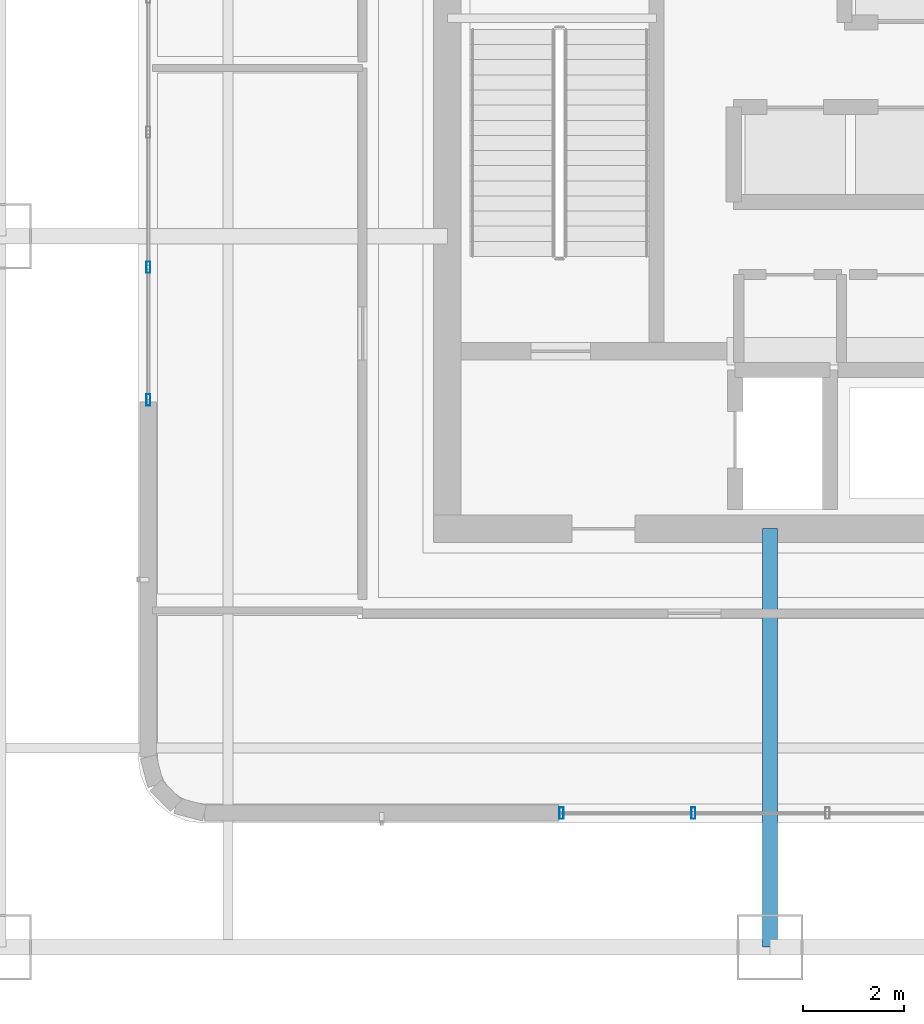
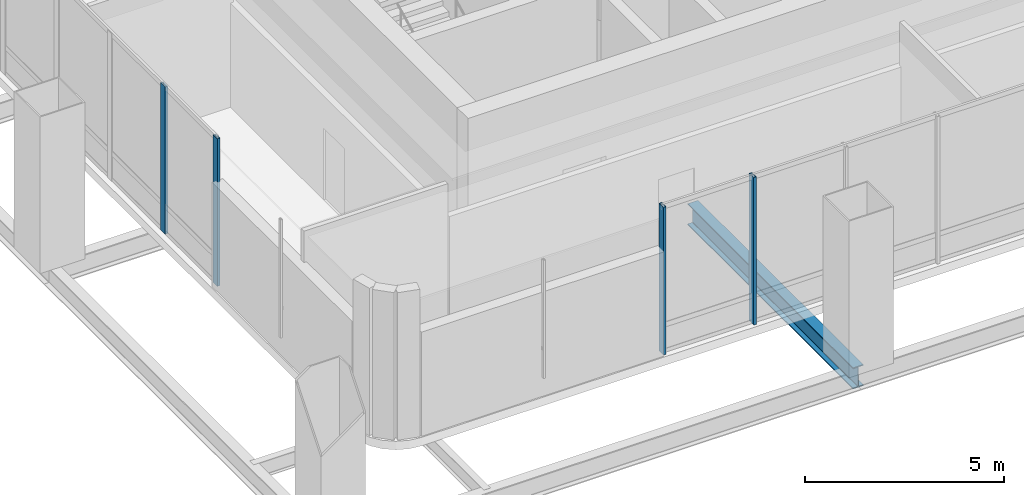
# One storey, part 2 of 33: 4 members, 1 beam, 2 elements without a shape of their own.
"""IFC4 building model written with IfcOpenShell, lengths in metres."""

from ifc_helpers import new_model, si_unit, direction, frame, origin, origin_2d, place, context, subcontext, project, spatial, hollow_rectangle, i_section, extrude, material, material_profile, profile_set, type_object, element, aggregate, save


model = new_model("IFC4")

# Units and contexts
model_context = context("Model", 3, precision=1e-05, world=origin(), true_north=direction((0.0, 1.0)))
body_context = subcontext(model_context, "Body", "Model", "MODEL_VIEW")
ifc_project = project(units=[si_unit("LENGTHUNIT", "METRE"), si_unit("AREAUNIT", "SQUARE_METRE"), si_unit("VOLUMEUNIT", "CUBIC_METRE"), si_unit("PLANEANGLEUNIT", "RADIAN"), si_unit("MASSUNIT", "GRAM", prefix="KILO")], contexts=[model_context])

# Site, building, storey
site_placement = place(None, origin())
site = spatial("IfcSite", under=ifc_project, at=site_placement, CompositionType="ELEMENT")
building_placement = place(site_placement, origin())
building = spatial("IfcBuilding", under=site, at=building_placement, Name="Punatoya Terracotta Tower", CompositionType="ELEMENT")
storey_placement = place(building_placement, frame((0.0, 0.0, 246.60009765625)))
storey = spatial("IfcBuildingStorey", under=building, at=storey_placement, Name="L58", CompositionType="ELEMENT", Elevation=246.60009765625)

# Beam
ifc_material_1 = material(Name="Steel S355", Category="steel")
ifc_material_profile_1 = material_profile(ifc_material_1, i_section(OverallWidth=0.300048828125, OverallDepth=0.64990234375, WebThickness=0.01611328125, FlangeThickness=0.031005859375, FilletRadius=0.01806640625, at=origin_2d()))
ifc_profile_set_1 = profile_set([ifc_material_profile_1], Name="Steel S355")
beam_type = type_object("IfcBeamType", Name="BM-PRI-650", PredefinedType="BEAM", material=ifc_profile_set_1)
beam_placement = place(storey_placement, frame((-3.800048828125, -17.5, -0.585205078125), z_axis=(0.0, 1.0, 0.0), x_axis=(-1.0, 0.0, 0.0)))
element("IfcBeam", 1, at=beam_placement, inside=storey, type_object=beam_type, Name="BM-L58-PR-S2", PredefinedType="BEAM", context=body_context, shape_type="SweptSolid", body=[
    extrude(i_section(OverallWidth=0.300048828125, OverallDepth=0.64990234375, WebThickness=0.01611328125, FlangeThickness=0.031005859375, FilletRadius=0.01806640625, at=origin_2d()), origin(), (0.0, 0.0, 1.0), 8.300048828125),
])

# Curtain wall, members
ifc_material_2 = material(Name="Aluminium 6063-T6 + Double Low-E Glass", Category="aluminium")
curtain_wall_type = type_object("IfcCurtainWallType", Name="CW-NCK", PredefinedType="NOTDEFINED", material=ifc_material_2)
curtain_wall_1_placement = place(storey_placement, origin())
curtain_wall_1 = element("IfcCurtainWall", 2, at=curtain_wall_1_placement, inside=storey, type_object=curtain_wall_type, Name="L58 Curtain Wall CW-L58-S01-1", PredefinedType="NOTDEFINED")
ifc_material_3 = material(Name="Aluminium 6063-T6", Category="aluminium")
ifc_material_profile_2 = material_profile(ifc_material_3, hollow_rectangle(XDim=0.080078125, YDim=0.22509765625, WallThickness=0.0048828125, at=origin_2d()))
ifc_profile_set_2 = profile_set([ifc_material_profile_2], Name="Aluminium 6063-T6")
member_type = type_object("IfcMemberType", Name="CW-MUL-NCK", PredefinedType="MULLION", material=ifc_profile_set_2)
member_1_placement = place(storey_placement, frame((-7.93505859375, -14.840087890625, 0.0), z_axis=(0.0, 0.0, 1.0), x_axis=(1.0, 0.0, 0.0)))
member_1 = element("IfcMember", 3, at=member_1_placement, type_object=member_type, Name="CW-L58-S01-1 Mullion 00", PredefinedType="MULLION", context=body_context, shape_type="SweptSolid", body=[
    extrude(hollow_rectangle(XDim=0.080078125, YDim=0.22509765625, WallThickness=0.0048828125, at=origin_2d()), origin(), (0.0, 0.0, 1.0), 4.52001953125),
])
member_2_placement = place(storey_placement, frame((-5.320068359375, -14.840087890625, 0.0), z_axis=(0.0, 0.0, 1.0), x_axis=(1.0, 0.0, 0.0)))
member_2 = element("IfcMember", 4, at=member_2_placement, type_object=member_type, Name="CW-L58-S01-1 Mullion 01", PredefinedType="MULLION", context=body_context, shape_type="SweptSolid", body=[
    extrude(hollow_rectangle(XDim=0.080078125, YDim=0.22509765625, WallThickness=0.0048828125, at=origin_2d()), origin(), (0.0, 0.0, 1.0), 4.52001953125),
])
aggregate(curtain_wall_1, [member_1, member_2])

curtain_wall_2_placement = place(storey_placement, origin())
curtain_wall_2 = element("IfcCurtainWall", 5, at=curtain_wall_2_placement, inside=storey, type_object=curtain_wall_type, Name="L58 Curtain Wall CW-L58-W13-1", PredefinedType="NOTDEFINED")
member_3_placement = place(storey_placement, frame((-16.1298828125, -4.013916015625, 0.0), z_axis=(0.0, 0.0, 1.0), x_axis=(1.0, 0.0, 0.0)))
member_3 = element("IfcMember", 6, at=member_3_placement, type_object=member_type, Name="CW-L58-W13-1 Mullion 04", PredefinedType="MULLION", context=body_context, shape_type="SweptSolid", body=[
    extrude(hollow_rectangle(XDim=0.080078125, YDim=0.22509765625, WallThickness=0.0048828125, at=origin_2d()), origin(), (0.0, 0.0, 1.0), 4.52001953125),
])
member_4_placement = place(storey_placement, frame((-16.1298828125, -6.64501953125, 0.0), z_axis=(0.0, 0.0, 1.0), x_axis=(1.0, 0.0, 0.0)))
member_4 = element("IfcMember", 7, at=member_4_placement, type_object=member_type, Name="CW-L58-W13-1 Mullion 05", PredefinedType="MULLION", context=body_context, shape_type="SweptSolid", body=[
    extrude(hollow_rectangle(XDim=0.080078125, YDim=0.22509765625, WallThickness=0.0048828125, at=origin_2d()), origin(), (0.0, 0.0, 1.0), 4.52001953125),
])
aggregate(curtain_wall_2, [member_3, member_4])

save(model, "model.ifc")
